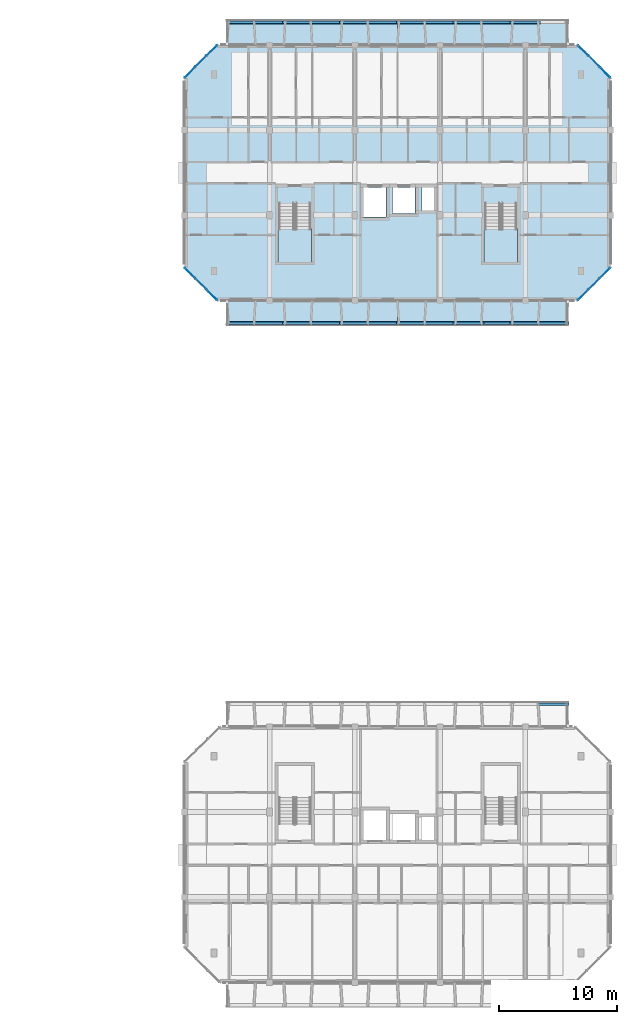
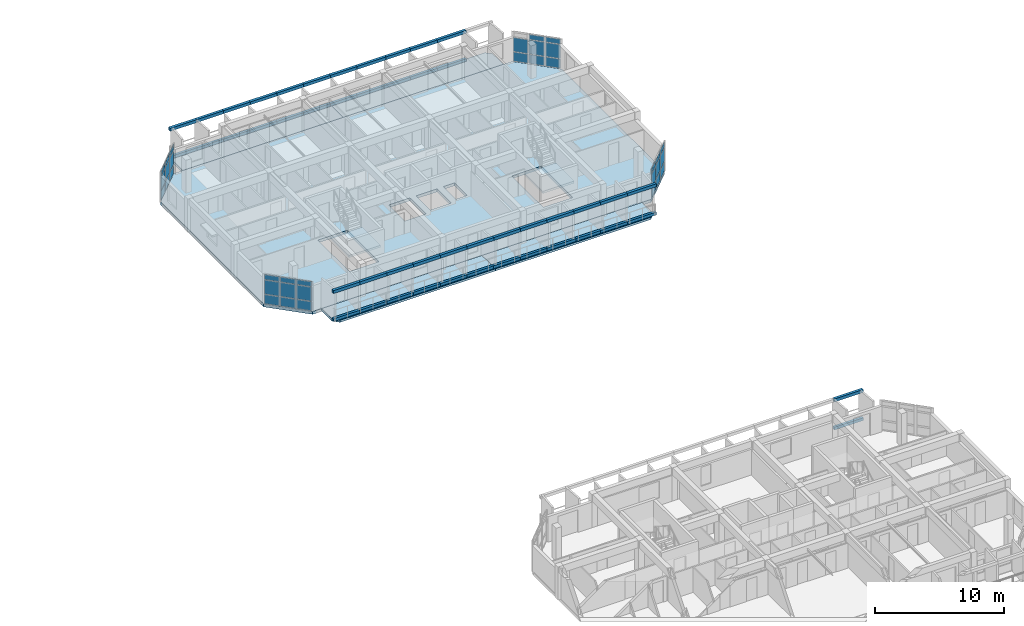
# One storey, part 15 of 46: 83 plates, 7 slabs, 6 elements without a shape of their own.
"""IFC4 building model written with IfcOpenShell, lengths in metres."""

from ifc_helpers import new_model, si_unit, direction, frame, origin, origin_2d, place, context, subcontext, project, spatial, polyline, rectangle, outline, extrude, material, layer, layer_set, type_object, element, aggregate, save


model = new_model("IFC4")

# Units and contexts
model_context = context("Model", 3, precision=1e-05, world=origin(), true_north=direction((0.0, 1.0)))
body_context = subcontext(model_context, "Body", "Model", "MODEL_VIEW")
ifc_project = project(units=[si_unit("LENGTHUNIT", "METRE"), si_unit("AREAUNIT", "SQUARE_METRE"), si_unit("VOLUMEUNIT", "CUBIC_METRE"), si_unit("PLANEANGLEUNIT", "RADIAN"), si_unit("MASSUNIT", "GRAM", prefix="KILO")], contexts=[model_context])

# Site, building, storey
site_placement = place(None, origin())
site = spatial("IfcSite", under=ifc_project, at=site_placement, CompositionType="ELEMENT")
building_placement = place(site_placement, origin())
building = spatial("IfcBuilding", under=site, at=building_placement, Name="Ochrevale Crest", CompositionType="ELEMENT")
storey_placement = place(building_placement, frame((0.0, 0.0, 24.449951171875)))
storey = spatial("IfcBuildingStorey", under=building, at=storey_placement, Name="L07", CompositionType="ELEMENT", Elevation=24.449951171875)

# Curtain wall, plates
ifc_material_1 = material(Name="Anodised aluminium 6063-T5", Category="aluminium")
ifc_layer_1 = layer(ifc_material_1, 0.14990234375)
ifc_layer_set_1 = layer_set([ifc_layer_1], Name="Anodised aluminium 6063-T5")
curtain_wall_type_1 = type_object("IfcCurtainWallType", Name="CW-WG-420x285", PredefinedType="NOTDEFINED", material=ifc_layer_set_1)
curtain_wall_1_placement = place(storey_placement, origin())
curtain_wall_1 = element("IfcCurtainWall", 1, at=curtain_wall_1_placement, inside=storey, type_object=curtain_wall_type_1, Name="Block D L07 chamfered corner wintergarden curtain wall 2", PredefinedType="NOTDEFINED")
ifc_material_2 = material(Name="Double-glazed low-E insulated glass unit", Category="glass")
ifc_layer_2 = layer(ifc_material_2, 0.028076171875)
ifc_layer_set_2 = layer_set([ifc_layer_2], Name="Double-glazed low-E insulated glass unit")
plate_type_1 = type_object("IfcPlateType", Name="CW-PNL-IGU28", PredefinedType="CURTAIN_PANEL", material=ifc_layer_set_2)
plate_1_placement = place(storey_placement, frame((163.280029296875, 72.47998046875, 0.06005859375), z_axis=(0.0, 0.0, 1.0), x_axis=(0.707106781187, 0.707106781187, 0.0)))
plate_1 = element("IfcPlate", 2, at=plate_1_placement, type_object=plate_type_1, Name="CW22 panel 1.1", PredefinedType="CURTAIN_PANEL", context=body_context, shape_type="SweptSolid", body=[
    extrude(rectangle(XDim=1.20751953125, YDim=0.028076171875, at=origin_2d()), origin(), (0.0, 0.0, 1.0), 0.860107421875),
])
plate_2_placement = place(storey_placement, frame((163.280029296875, 72.47998046875, 0.97998046875), z_axis=(0.0, 0.0, 1.0), x_axis=(0.707106781187, 0.707106781187, 0.0)))
plate_2 = element("IfcPlate", 3, at=plate_2_placement, type_object=plate_type_1, Name="CW22 panel 1.2", PredefinedType="CURTAIN_PANEL", context=body_context, shape_type="SweptSolid", body=[
    extrude(rectangle(XDim=1.20751953125, YDim=0.028076171875, at=origin_2d()), origin(), (0.0, 0.0, 1.0), 1.31494140625),
])
plate_3_placement = place(storey_placement, frame((163.280029296875, 72.47998046875, 2.35498046875), z_axis=(0.0, 0.0, 1.0), x_axis=(0.707106781187, 0.707106781187, 0.0)))
plate_3 = element("IfcPlate", 4, at=plate_3_placement, type_object=plate_type_1, Name="CW22 panel 1.3", PredefinedType="CURTAIN_PANEL", context=body_context, shape_type="SweptSolid", body=[
    extrude(rectangle(XDim=1.20751953125, YDim=0.028076171875, at=origin_2d()), origin(), (0.0, 0.0, 1.0), 0.4599609375),
])
plate_4_placement = place(storey_placement, frame((164.199951171875, 73.39990234375, 0.06005859375), z_axis=(0.0, 0.0, 1.0), x_axis=(0.707106781187, 0.707106781187, 0.0)))
plate_4 = element("IfcPlate", 5, at=plate_4_placement, type_object=plate_type_1, Name="CW22 panel 2.1", PredefinedType="CURTAIN_PANEL", context=body_context, shape_type="SweptSolid", body=[
    extrude(rectangle(XDim=1.244873046875, YDim=0.028076171875, at=origin_2d()), origin(), (0.0, 0.0, 1.0), 0.860107421875),
])
plate_5_placement = place(storey_placement, frame((164.199951171875, 73.39990234375, 0.97998046875), z_axis=(0.0, 0.0, 1.0), x_axis=(0.707106781187, 0.707106781187, 0.0)))
plate_5 = element("IfcPlate", 6, at=plate_5_placement, type_object=plate_type_1, Name="CW22 panel 2.2", PredefinedType="CURTAIN_PANEL", context=body_context, shape_type="SweptSolid", body=[
    extrude(rectangle(XDim=1.244873046875, YDim=0.028076171875, at=origin_2d()), origin(), (0.0, 0.0, 1.0), 1.31494140625),
])
plate_6_placement = place(storey_placement, frame((164.199951171875, 73.39990234375, 2.35498046875), z_axis=(0.0, 0.0, 1.0), x_axis=(0.707106781187, 0.707106781187, 0.0)))
plate_6 = element("IfcPlate", 7, at=plate_6_placement, type_object=plate_type_1, Name="CW22 panel 2.3", PredefinedType="CURTAIN_PANEL", context=body_context, shape_type="SweptSolid", body=[
    extrude(rectangle(XDim=1.244873046875, YDim=0.028076171875, at=origin_2d()), origin(), (0.0, 0.0, 1.0), 0.4599609375),
])
plate_7_placement = place(storey_placement, frame((165.1201171875, 74.320068359375, 0.06005859375), z_axis=(0.0, 0.0, 1.0), x_axis=(0.707106781187, 0.707106781187, 0.0)))
plate_7 = element("IfcPlate", 8, at=plate_7_placement, type_object=plate_type_1, Name="CW22 panel 3.1", PredefinedType="CURTAIN_PANEL", context=body_context, shape_type="SweptSolid", body=[
    extrude(rectangle(XDim=1.20751953125, YDim=0.028076171875, at=origin_2d()), origin(), (0.0, 0.0, 1.0), 0.860107421875),
])
plate_8_placement = place(storey_placement, frame((165.1201171875, 74.320068359375, 0.97998046875), z_axis=(0.0, 0.0, 1.0), x_axis=(0.707106781187, 0.707106781187, 0.0)))
plate_8 = element("IfcPlate", 9, at=plate_8_placement, type_object=plate_type_1, Name="CW22 panel 3.2", PredefinedType="CURTAIN_PANEL", context=body_context, shape_type="SweptSolid", body=[
    extrude(rectangle(XDim=1.20751953125, YDim=0.028076171875, at=origin_2d()), origin(), (0.0, 0.0, 1.0), 1.31494140625),
])
plate_9_placement = place(storey_placement, frame((165.1201171875, 74.320068359375, 2.35498046875), z_axis=(0.0, 0.0, 1.0), x_axis=(0.707106781187, 0.707106781187, 0.0)))
plate_9 = element("IfcPlate", 10, at=plate_9_placement, type_object=plate_type_1, Name="CW22 panel 3.3", PredefinedType="CURTAIN_PANEL", context=body_context, shape_type="SweptSolid", body=[
    extrude(rectangle(XDim=1.20751953125, YDim=0.028076171875, at=origin_2d()), origin(), (0.0, 0.0, 1.0), 0.4599609375),
])
aggregate(curtain_wall_1, [plate_1, plate_2, plate_3, plate_4, plate_5, plate_6, plate_7, plate_8, plate_9])

ifc_layer_3 = layer(ifc_material_1, 0.14990234375)
ifc_layer_set_3 = layer_set([ifc_layer_3], Name="Anodised aluminium 6063-T5")
curtain_wall_type_2 = type_object("IfcCurtainWallType", Name="CW-WG-240x285", PredefinedType="NOTDEFINED", material=ifc_layer_set_3)
curtain_wall_2_placement = place(storey_placement, origin())
curtain_wall_2 = element("IfcCurtainWall", 11, at=curtain_wall_2_placement, inside=storey, type_object=curtain_wall_type_2, Name="Block D L07 chamfered corner wintergarden curtain wall 8", PredefinedType="NOTDEFINED")
plate_10_placement = place(storey_placement, frame((130.079833984375, 74.320068359375, 0.06005859375), z_axis=(0.0, 0.0, 1.0), x_axis=(0.707106781187, -0.707106781187, 0.0)))
plate_10 = element("IfcPlate", 12, at=plate_10_placement, type_object=plate_type_1, Name="CW15 panel 1.1", PredefinedType="CURTAIN_PANEL", context=body_context, shape_type="SweptSolid", body=[
    extrude(rectangle(XDim=1.20751953125, YDim=0.028076171875, at=origin_2d()), origin(), (0.0, 0.0, 1.0), 0.860107421875),
])
plate_11_placement = place(storey_placement, frame((130.079833984375, 74.320068359375, 0.97998046875), z_axis=(0.0, 0.0, 1.0), x_axis=(0.707106781187, -0.707106781187, 0.0)))
plate_11 = element("IfcPlate", 13, at=plate_11_placement, type_object=plate_type_1, Name="CW15 panel 1.2", PredefinedType="CURTAIN_PANEL", context=body_context, shape_type="SweptSolid", body=[
    extrude(rectangle(XDim=1.20751953125, YDim=0.028076171875, at=origin_2d()), origin(), (0.0, 0.0, 1.0), 1.31494140625),
])
plate_12_placement = place(storey_placement, frame((130.079833984375, 74.320068359375, 2.35498046875), z_axis=(0.0, 0.0, 1.0), x_axis=(0.707106781187, -0.707106781187, 0.0)))
plate_12 = element("IfcPlate", 14, at=plate_12_placement, type_object=plate_type_1, Name="CW15 panel 1.3", PredefinedType="CURTAIN_PANEL", context=body_context, shape_type="SweptSolid", body=[
    extrude(rectangle(XDim=1.20751953125, YDim=0.028076171875, at=origin_2d()), origin(), (0.0, 0.0, 1.0), 0.4599609375),
])
plate_13_placement = place(storey_placement, frame((131.0, 73.39990234375, 0.06005859375), z_axis=(0.0, 0.0, 1.0), x_axis=(0.707106781187, -0.707106781187, 0.0)))
plate_13 = element("IfcPlate", 15, at=plate_13_placement, type_object=plate_type_1, Name="CW15 panel 2.1", PredefinedType="CURTAIN_PANEL", context=body_context, shape_type="SweptSolid", body=[
    extrude(rectangle(XDim=1.244873046875, YDim=0.028076171875, at=origin_2d()), origin(), (0.0, 0.0, 1.0), 0.860107421875),
])
plate_14_placement = place(storey_placement, frame((131.0, 73.39990234375, 0.97998046875), z_axis=(0.0, 0.0, 1.0), x_axis=(0.707106781187, -0.707106781187, 0.0)))
plate_14 = element("IfcPlate", 16, at=plate_14_placement, type_object=plate_type_1, Name="CW15 panel 2.2", PredefinedType="CURTAIN_PANEL", context=body_context, shape_type="SweptSolid", body=[
    extrude(rectangle(XDim=1.244873046875, YDim=0.028076171875, at=origin_2d()), origin(), (0.0, 0.0, 1.0), 1.31494140625),
])
plate_15_placement = place(storey_placement, frame((131.0, 73.39990234375, 2.35498046875), z_axis=(0.0, 0.0, 1.0), x_axis=(0.707106781187, -0.707106781187, 0.0)))
plate_15 = element("IfcPlate", 17, at=plate_15_placement, type_object=plate_type_1, Name="CW15 panel 2.3", PredefinedType="CURTAIN_PANEL", context=body_context, shape_type="SweptSolid", body=[
    extrude(rectangle(XDim=1.244873046875, YDim=0.028076171875, at=origin_2d()), origin(), (0.0, 0.0, 1.0), 0.4599609375),
])
plate_16_placement = place(storey_placement, frame((131.920166015625, 72.47998046875, 0.06005859375), z_axis=(0.0, 0.0, 1.0), x_axis=(0.707106781187, -0.707106781187, 0.0)))
plate_16 = element("IfcPlate", 18, at=plate_16_placement, type_object=plate_type_1, Name="CW15 panel 3.1", PredefinedType="CURTAIN_PANEL", context=body_context, shape_type="SweptSolid", body=[
    extrude(rectangle(XDim=1.20751953125, YDim=0.028076171875, at=origin_2d()), origin(), (0.0, 0.0, 1.0), 0.860107421875),
])
plate_17_placement = place(storey_placement, frame((131.920166015625, 72.47998046875, 0.97998046875), z_axis=(0.0, 0.0, 1.0), x_axis=(0.707106781187, -0.707106781187, 0.0)))
plate_17 = element("IfcPlate", 19, at=plate_17_placement, type_object=plate_type_1, Name="CW15 panel 3.2", PredefinedType="CURTAIN_PANEL", context=body_context, shape_type="SweptSolid", body=[
    extrude(rectangle(XDim=1.20751953125, YDim=0.028076171875, at=origin_2d()), origin(), (0.0, 0.0, 1.0), 1.31494140625),
])
plate_18_placement = place(storey_placement, frame((131.920166015625, 72.47998046875, 2.35498046875), z_axis=(0.0, 0.0, 1.0), x_axis=(0.707106781187, -0.707106781187, 0.0)))
plate_18 = element("IfcPlate", 20, at=plate_18_placement, type_object=plate_type_1, Name="CW15 panel 3.3", PredefinedType="CURTAIN_PANEL", context=body_context, shape_type="SweptSolid", body=[
    extrude(rectangle(XDim=1.20751953125, YDim=0.028076171875, at=origin_2d()), origin(), (0.0, 0.0, 1.0), 0.4599609375),
])
aggregate(curtain_wall_2, [plate_10, plate_11, plate_12, plate_13, plate_14, plate_15, plate_16, plate_17, plate_18])

ifc_layer_4 = layer(ifc_material_1, 0.14990234375)
ifc_layer_set_4 = layer_set([ifc_layer_4], Name="Anodised aluminium 6063-T5")
curtain_wall_type_3 = type_object("IfcCurtainWallType", Name="CW-WG-280x285", PredefinedType="NOTDEFINED", material=ifc_layer_set_4)
curtain_wall_3_placement = place(storey_placement, origin())
curtain_wall_3 = element("IfcCurtainWall", 21, at=curtain_wall_3_placement, inside=storey, type_object=curtain_wall_type_3, Name="Block D L07 chamfered corner wintergarden curtain wall 4", PredefinedType="NOTDEFINED")
ifc_material_3 = material(Name="Acoustic laminated low-E insulated glass unit", Category="glass")
ifc_layer_5 = layer(ifc_material_3, 0.0380859375)
ifc_layer_set_5 = layer_set([ifc_layer_5], Name="Acoustic laminated low-E insulated glass unit")
plate_type_2 = type_object("IfcPlateType", Name="CW-PNL-IGU38", PredefinedType="CURTAIN_PANEL", material=ifc_layer_set_5)
plate_19_placement = place(storey_placement, frame((165.1201171875, 91.280029296875, 0.06005859375), z_axis=(0.0, 0.0, 1.0), x_axis=(-0.707106781187, 0.707106781187, 0.0)))
plate_19 = element("IfcPlate", 22, at=plate_19_placement, type_object=plate_type_2, Name="CW16 panel 1.1", PredefinedType="CURTAIN_PANEL", context=body_context, shape_type="SweptSolid", body=[
    extrude(rectangle(XDim=1.20751953125, YDim=0.0380859375, at=origin_2d()), origin(), (0.0, 0.0, 1.0), 0.860107421875),
])
plate_20_placement = place(storey_placement, frame((165.1201171875, 91.280029296875, 0.97998046875), z_axis=(0.0, 0.0, 1.0), x_axis=(-0.707106781187, 0.707106781187, 0.0)))
plate_20 = element("IfcPlate", 23, at=plate_20_placement, type_object=plate_type_2, Name="CW16 panel 1.2", PredefinedType="CURTAIN_PANEL", context=body_context, shape_type="SweptSolid", body=[
    extrude(rectangle(XDim=1.20751953125, YDim=0.0380859375, at=origin_2d()), origin(), (0.0, 0.0, 1.0), 1.31494140625),
])
plate_21_placement = place(storey_placement, frame((165.1201171875, 91.280029296875, 2.35498046875), z_axis=(0.0, 0.0, 1.0), x_axis=(-0.707106781187, 0.707106781187, 0.0)))
plate_21 = element("IfcPlate", 24, at=plate_21_placement, type_object=plate_type_2, Name="CW16 panel 1.3", PredefinedType="CURTAIN_PANEL", context=body_context, shape_type="SweptSolid", body=[
    extrude(rectangle(XDim=1.20751953125, YDim=0.0380859375, at=origin_2d()), origin(), (0.0, 0.0, 1.0), 0.4599609375),
])
plate_22_placement = place(storey_placement, frame((164.199951171875, 92.199951171875, 0.06005859375), z_axis=(0.0, 0.0, 1.0), x_axis=(-0.707106781187, 0.707106781187, 0.0)))
plate_22 = element("IfcPlate", 25, at=plate_22_placement, type_object=plate_type_2, Name="CW16 panel 2.1", PredefinedType="CURTAIN_PANEL", context=body_context, shape_type="SweptSolid", body=[
    extrude(rectangle(XDim=1.244873046875, YDim=0.0380859375, at=origin_2d()), origin(), (0.0, 0.0, 1.0), 0.860107421875),
])
plate_23_placement = place(storey_placement, frame((164.199951171875, 92.199951171875, 0.97998046875), z_axis=(0.0, 0.0, 1.0), x_axis=(-0.707106781187, 0.707106781187, 0.0)))
plate_23 = element("IfcPlate", 26, at=plate_23_placement, type_object=plate_type_2, Name="CW16 panel 2.2", PredefinedType="CURTAIN_PANEL", context=body_context, shape_type="SweptSolid", body=[
    extrude(rectangle(XDim=1.244873046875, YDim=0.0380859375, at=origin_2d()), origin(), (0.0, 0.0, 1.0), 1.31494140625),
])
plate_24_placement = place(storey_placement, frame((164.199951171875, 92.199951171875, 2.35498046875), z_axis=(0.0, 0.0, 1.0), x_axis=(-0.707106781187, 0.707106781187, 0.0)))
plate_24 = element("IfcPlate", 27, at=plate_24_placement, type_object=plate_type_2, Name="CW16 panel 2.3", PredefinedType="CURTAIN_PANEL", context=body_context, shape_type="SweptSolid", body=[
    extrude(rectangle(XDim=1.244873046875, YDim=0.0380859375, at=origin_2d()), origin(), (0.0, 0.0, 1.0), 0.4599609375),
])
plate_25_placement = place(storey_placement, frame((163.280029296875, 93.1201171875, 0.06005859375), z_axis=(0.0, 0.0, 1.0), x_axis=(-0.707106781187, 0.707106781187, 0.0)))
plate_25 = element("IfcPlate", 28, at=plate_25_placement, type_object=plate_type_2, Name="CW16 panel 3.1", PredefinedType="CURTAIN_PANEL", context=body_context, shape_type="SweptSolid", body=[
    extrude(rectangle(XDim=1.20751953125, YDim=0.0380859375, at=origin_2d()), origin(), (0.0, 0.0, 1.0), 0.860107421875),
])
plate_26_placement = place(storey_placement, frame((163.280029296875, 93.1201171875, 0.97998046875), z_axis=(0.0, 0.0, 1.0), x_axis=(-0.707106781187, 0.707106781187, 0.0)))
plate_26 = element("IfcPlate", 29, at=plate_26_placement, type_object=plate_type_2, Name="CW16 panel 3.2", PredefinedType="CURTAIN_PANEL", context=body_context, shape_type="SweptSolid", body=[
    extrude(rectangle(XDim=1.20751953125, YDim=0.0380859375, at=origin_2d()), origin(), (0.0, 0.0, 1.0), 1.31494140625),
])
aggregate(curtain_wall_3, [plate_19, plate_20, plate_21, plate_22, plate_23, plate_24, plate_25, plate_26])

ifc_layer_6 = layer(ifc_material_1, 0.14990234375)
ifc_layer_set_6 = layer_set([ifc_layer_6], Name="Anodised aluminium 6063-T5")
curtain_wall_type_4 = type_object("IfcCurtainWallType", Name="CW-WG-360x285", PredefinedType="NOTDEFINED", material=ifc_layer_set_6)
curtain_wall_4_placement = place(storey_placement, origin())
curtain_wall_4 = element("IfcCurtainWall", 30, at=curtain_wall_4_placement, inside=storey, type_object=curtain_wall_type_4, Name="Block D L07 chamfered corner wintergarden curtain wall 6", PredefinedType="NOTDEFINED")
plate_27_placement = place(storey_placement, frame((131.920166015625, 93.1201171875, 0.06005859375), z_axis=(0.0, 0.0, 1.0), x_axis=(-0.707106781187, -0.707106781187, 0.0)))
plate_27 = element("IfcPlate", 31, at=plate_27_placement, type_object=plate_type_2, Name="CW18 panel 1.1", PredefinedType="CURTAIN_PANEL", context=body_context, shape_type="SweptSolid", body=[
    extrude(rectangle(XDim=1.20751953125, YDim=0.0380859375, at=origin_2d()), origin(), (0.0, 0.0, 1.0), 0.860107421875),
])
plate_28_placement = place(storey_placement, frame((131.920166015625, 93.1201171875, 0.97998046875), z_axis=(0.0, 0.0, 1.0), x_axis=(-0.707106781187, -0.707106781187, 0.0)))
plate_28 = element("IfcPlate", 32, at=plate_28_placement, type_object=plate_type_2, Name="CW18 panel 1.2", PredefinedType="CURTAIN_PANEL", context=body_context, shape_type="SweptSolid", body=[
    extrude(rectangle(XDim=1.20751953125, YDim=0.0380859375, at=origin_2d()), origin(), (0.0, 0.0, 1.0), 1.31494140625),
])
plate_29_placement = place(storey_placement, frame((131.920166015625, 93.1201171875, 2.35498046875), z_axis=(0.0, 0.0, 1.0), x_axis=(-0.707106781187, -0.707106781187, 0.0)))
plate_29 = element("IfcPlate", 33, at=plate_29_placement, type_object=plate_type_2, Name="CW18 panel 1.3", PredefinedType="CURTAIN_PANEL", context=body_context, shape_type="SweptSolid", body=[
    extrude(rectangle(XDim=1.20751953125, YDim=0.0380859375, at=origin_2d()), origin(), (0.0, 0.0, 1.0), 0.4599609375),
])
plate_30_placement = place(storey_placement, frame((131.0, 92.199951171875, 0.06005859375), z_axis=(0.0, 0.0, 1.0), x_axis=(-0.707106781187, -0.707106781187, 0.0)))
plate_30 = element("IfcPlate", 34, at=plate_30_placement, type_object=plate_type_2, Name="CW18 panel 2.1", PredefinedType="CURTAIN_PANEL", context=body_context, shape_type="SweptSolid", body=[
    extrude(rectangle(XDim=1.244873046875, YDim=0.0380859375, at=origin_2d()), origin(), (0.0, 0.0, 1.0), 0.860107421875),
])
plate_31_placement = place(storey_placement, frame((131.0, 92.199951171875, 0.97998046875), z_axis=(0.0, 0.0, 1.0), x_axis=(-0.707106781187, -0.707106781187, 0.0)))
plate_31 = element("IfcPlate", 35, at=plate_31_placement, type_object=plate_type_2, Name="CW18 panel 2.2", PredefinedType="CURTAIN_PANEL", context=body_context, shape_type="SweptSolid", body=[
    extrude(rectangle(XDim=1.244873046875, YDim=0.0380859375, at=origin_2d()), origin(), (0.0, 0.0, 1.0), 1.31494140625),
])
plate_32_placement = place(storey_placement, frame((131.0, 92.199951171875, 2.35498046875), z_axis=(0.0, 0.0, 1.0), x_axis=(-0.707106781187, -0.707106781187, 0.0)))
plate_32 = element("IfcPlate", 36, at=plate_32_placement, type_object=plate_type_2, Name="CW18 panel 2.3", PredefinedType="CURTAIN_PANEL", context=body_context, shape_type="SweptSolid", body=[
    extrude(rectangle(XDim=1.244873046875, YDim=0.0380859375, at=origin_2d()), origin(), (0.0, 0.0, 1.0), 0.4599609375),
])
plate_33_placement = place(storey_placement, frame((130.079833984375, 91.280029296875, 0.06005859375), z_axis=(0.0, 0.0, 1.0), x_axis=(-0.707106781187, -0.707106781187, 0.0)))
plate_33 = element("IfcPlate", 37, at=plate_33_placement, type_object=plate_type_2, Name="CW18 panel 3.1", PredefinedType="CURTAIN_PANEL", context=body_context, shape_type="SweptSolid", body=[
    extrude(rectangle(XDim=1.20751953125, YDim=0.0380859375, at=origin_2d()), origin(), (0.0, 0.0, 1.0), 0.860107421875),
])
plate_34_placement = place(storey_placement, frame((130.079833984375, 91.280029296875, 0.97998046875), z_axis=(0.0, 0.0, 1.0), x_axis=(-0.707106781187, -0.707106781187, 0.0)))
plate_34 = element("IfcPlate", 38, at=plate_34_placement, type_object=plate_type_2, Name="CW18 panel 3.2", PredefinedType="CURTAIN_PANEL", context=body_context, shape_type="SweptSolid", body=[
    extrude(rectangle(XDim=1.20751953125, YDim=0.0380859375, at=origin_2d()), origin(), (0.0, 0.0, 1.0), 1.31494140625),
])
plate_35_placement = place(storey_placement, frame((130.079833984375, 91.280029296875, 2.35498046875), z_axis=(0.0, 0.0, 1.0), x_axis=(-0.707106781187, -0.707106781187, 0.0)))
plate_35 = element("IfcPlate", 39, at=plate_35_placement, type_object=plate_type_2, Name="CW18 panel 3.3", PredefinedType="CURTAIN_PANEL", context=body_context, shape_type="SweptSolid", body=[
    extrude(rectangle(XDim=1.20751953125, YDim=0.0380859375, at=origin_2d()), origin(), (0.0, 0.0, 1.0), 0.4599609375),
])
aggregate(curtain_wall_4, [plate_27, plate_28, plate_29, plate_30, plate_31, plate_32, plate_33, plate_34, plate_35])

# Plates
ifc_material_4 = material(Name="Precast concrete C40/50", Category="concrete")
ifc_layer_7 = layer(ifc_material_4, 0.06005859375)
ifc_layer_set_7 = layer_set([ifc_layer_7], Name="Precast concrete C40/50")
plate_type_3 = type_object("IfcPlateType", Name="PLT-HC-HEAD-60", PredefinedType="USERDEFINED", material=ifc_layer_set_7)
for number, where, z_axis, x_axis, name in (
    (40, (160.800048828125, 37.89990234375, 2.669921875), (0.0, 0.0, 1.0), (1.0, 0.0, 0.0), "Block C L07 N honeycomb arched lintel fascia 12"),
    (41, (134.39990234375, 70.10009765625, 2.669921875), (0.0, 0.0, 1.0), (1.0, 0.0, 0.0), "Block D L07 S honeycomb arched lintel fascia 1"),
    (42, (136.800048828125, 70.10009765625, 2.669921875), (0.0, 0.0, 1.0), (1.0, 0.0, 0.0), "Block D L07 S honeycomb arched lintel fascia 2"),
    (43, (139.199951171875, 70.10009765625, 2.669921875), (0.0, 0.0, 1.0), (1.0, 0.0, 0.0), "Block D L07 S honeycomb arched lintel fascia 3"),
    (44, (141.60009765625, 70.10009765625, 2.669921875), (0.0, 0.0, 1.0), (1.0, 0.0, 0.0), "Block D L07 S honeycomb arched lintel fascia 4"),
    (45, (144.0, 70.10009765625, 2.669921875), (0.0, 0.0, 1.0), (1.0, 0.0, 0.0), "Block D L07 S honeycomb arched lintel fascia 5"),
    (46, (146.39990234375, 70.10009765625, 2.669921875), (0.0, 0.0, 1.0), (1.0, 0.0, 0.0), "Block D L07 S honeycomb arched lintel fascia 6"),
    (47, (148.800048828125, 70.10009765625, 2.669921875), (0.0, 0.0, 1.0), (1.0, 0.0, 0.0), "Block D L07 S honeycomb arched lintel fascia 7"),
    (48, (151.199951171875, 70.10009765625, 2.669921875), (0.0, 0.0, 1.0), (1.0, 0.0, 0.0), "Block D L07 S honeycomb arched lintel fascia 8"),
    (49, (153.60009765625, 70.10009765625, 2.669921875), (0.0, 0.0, 1.0), (1.0, 0.0, 0.0), "Block D L07 S honeycomb arched lintel fascia 9"),
    (50, (156.0, 70.10009765625, 2.669921875), (0.0, 0.0, 1.0), (1.0, 0.0, 0.0), "Block D L07 S honeycomb arched lintel fascia 10"),
    (51, (158.39990234375, 70.10009765625, 2.669921875), (0.0, 0.0, 1.0), (1.0, 0.0, 0.0), "Block D L07 S honeycomb arched lintel fascia 11"),
    (52, (160.800048828125, 70.10009765625, 2.669921875), (0.0, 0.0, 1.0), (1.0, 0.0, 0.0), "Block D L07 S honeycomb arched lintel fascia 12"),
    (53, (134.39990234375, 95.5, 2.669921875), (0.0, 0.0, 1.0), (1.0, 0.0, 0.0), "Block D L07 N honeycomb arched lintel fascia 1"),
    (54, (136.800048828125, 95.5, 2.669921875), (0.0, 0.0, 1.0), (1.0, 0.0, 0.0), "Block D L07 N honeycomb arched lintel fascia 2"),
    (55, (139.199951171875, 95.5, 2.669921875), (0.0, 0.0, 1.0), (1.0, 0.0, 0.0), "Block D L07 N honeycomb arched lintel fascia 3"),
    (56, (141.60009765625, 95.5, 2.669921875), (0.0, 0.0, 1.0), (1.0, 0.0, 0.0), "Block D L07 N honeycomb arched lintel fascia 4"),
    (57, (144.0, 95.5, 2.669921875), (0.0, 0.0, 1.0), (1.0, 0.0, 0.0), "Block D L07 N honeycomb arched lintel fascia 5"),
    (58, (146.39990234375, 95.5, 2.669921875), (0.0, 0.0, 1.0), (1.0, 0.0, 0.0), "Block D L07 N honeycomb arched lintel fascia 6"),
    (59, (148.800048828125, 95.5, 2.669921875), (0.0, 0.0, 1.0), (1.0, 0.0, 0.0), "Block D L07 N honeycomb arched lintel fascia 7"),
    (60, (151.199951171875, 95.5, 2.669921875), (0.0, 0.0, 1.0), (1.0, 0.0, 0.0), "Block D L07 N honeycomb arched lintel fascia 8"),
    (61, (153.60009765625, 95.5, 2.669921875), (0.0, 0.0, 1.0), (1.0, 0.0, 0.0), "Block D L07 N honeycomb arched lintel fascia 9"),
    (62, (156.0, 95.5, 2.669921875), (0.0, 0.0, 1.0), (1.0, 0.0, 0.0), "Block D L07 N honeycomb arched lintel fascia 10"),
    (63, (158.39990234375, 95.5, 2.669921875), (0.0, 0.0, 1.0), (1.0, 0.0, 0.0), "Block D L07 N honeycomb arched lintel fascia 11"),
):
    element("IfcPlate", number, at=place(storey_placement, frame(where, z_axis=z_axis, x_axis=x_axis)), inside=storey, type_object=plate_type_3, Name=name, ObjectType="FACADE FASCIA PLATE", PredefinedType="USERDEFINED", context=body_context, shape_type="SweptSolid", body=[
        extrude(rectangle(XDim=2.60009765625, YDim=0.239990234375, at=origin_2d()), origin(), (0.0, 0.0, 1.0), 0.280029296875),
    ])
ifc_layer_8 = layer(ifc_material_4, 0.044921875)
ifc_layer_set_8 = layer_set([ifc_layer_8], Name="Precast concrete C40/50")
plate_type_4 = type_object("IfcPlateType", Name="PLT-HC-SILL-45", PredefinedType="USERDEFINED", material=ifc_layer_set_8)
for number, where, z_axis, x_axis, name in (
    (64, (160.800048828125, 37.89990234375, 0.0), (0.0, 0.0, 1.0), (1.0, 0.0, 0.0), "Block C L07 N honeycomb sill coping plate 12"),
    (65, (134.39990234375, 70.10009765625, 0.0), (0.0, 0.0, 1.0), (1.0, 0.0, 0.0), "Block D L07 S honeycomb sill coping plate 1"),
    (66, (136.800048828125, 70.10009765625, 0.0), (0.0, 0.0, 1.0), (1.0, 0.0, 0.0), "Block D L07 S honeycomb sill coping plate 2"),
    (67, (139.199951171875, 70.10009765625, 0.0), (0.0, 0.0, 1.0), (1.0, 0.0, 0.0), "Block D L07 S honeycomb sill coping plate 3"),
    (68, (141.60009765625, 70.10009765625, 0.0), (0.0, 0.0, 1.0), (1.0, 0.0, 0.0), "Block D L07 S honeycomb sill coping plate 4"),
    (69, (144.0, 70.10009765625, 0.0), (0.0, 0.0, 1.0), (1.0, 0.0, 0.0), "Block D L07 S honeycomb sill coping plate 5"),
    (70, (146.39990234375, 70.10009765625, 0.0), (0.0, 0.0, 1.0), (1.0, 0.0, 0.0), "Block D L07 S honeycomb sill coping plate 6"),
    (71, (148.800048828125, 70.10009765625, 0.0), (0.0, 0.0, 1.0), (1.0, 0.0, 0.0), "Block D L07 S honeycomb sill coping plate 7"),
    (72, (151.199951171875, 70.10009765625, 0.0), (0.0, 0.0, 1.0), (1.0, 0.0, 0.0), "Block D L07 S honeycomb sill coping plate 8"),
    (73, (153.60009765625, 70.10009765625, 0.0), (0.0, 0.0, 1.0), (1.0, 0.0, 0.0), "Block D L07 S honeycomb sill coping plate 9"),
    (74, (156.0, 70.10009765625, 0.0), (0.0, 0.0, 1.0), (1.0, 0.0, 0.0), "Block D L07 S honeycomb sill coping plate 10"),
    (75, (158.39990234375, 70.10009765625, 0.0), (0.0, 0.0, 1.0), (1.0, 0.0, 0.0), "Block D L07 S honeycomb sill coping plate 11"),
    (76, (160.800048828125, 70.10009765625, 0.0), (0.0, 0.0, 1.0), (1.0, 0.0, 0.0), "Block D L07 S honeycomb sill coping plate 12"),
    (77, (134.39990234375, 95.5, 0.0), (0.0, 0.0, 1.0), (1.0, 0.0, 0.0), "Block D L07 N honeycomb sill coping plate 1"),
    (78, (136.800048828125, 95.5, 0.0), (0.0, 0.0, 1.0), (1.0, 0.0, 0.0), "Block D L07 N honeycomb sill coping plate 2"),
    (79, (139.199951171875, 95.5, 0.0), (0.0, 0.0, 1.0), (1.0, 0.0, 0.0), "Block D L07 N honeycomb sill coping plate 3"),
    (80, (141.60009765625, 95.5, 0.0), (0.0, 0.0, 1.0), (1.0, 0.0, 0.0), "Block D L07 N honeycomb sill coping plate 4"),
    (81, (144.0, 95.5, 0.0), (0.0, 0.0, 1.0), (1.0, 0.0, 0.0), "Block D L07 N honeycomb sill coping plate 5"),
    (82, (146.39990234375, 95.5, 0.0), (0.0, 0.0, 1.0), (1.0, 0.0, 0.0), "Block D L07 N honeycomb sill coping plate 6"),
    (83, (148.800048828125, 95.5, 0.0), (0.0, 0.0, 1.0), (1.0, 0.0, 0.0), "Block D L07 N honeycomb sill coping plate 7"),
    (84, (151.199951171875, 95.5, 0.0), (0.0, 0.0, 1.0), (1.0, 0.0, 0.0), "Block D L07 N honeycomb sill coping plate 8"),
    (85, (153.60009765625, 95.5, 0.0), (0.0, 0.0, 1.0), (1.0, 0.0, 0.0), "Block D L07 N honeycomb sill coping plate 9"),
    (86, (156.0, 95.5, 0.0), (0.0, 0.0, 1.0), (1.0, 0.0, 0.0), "Block D L07 N honeycomb sill coping plate 10"),
    (87, (158.39990234375, 95.5, 0.0), (0.0, 0.0, 1.0), (1.0, 0.0, 0.0), "Block D L07 N honeycomb sill coping plate 11"),
):
    element("IfcPlate", number, at=place(storey_placement, frame(where, z_axis=z_axis, x_axis=x_axis)), inside=storey, type_object=plate_type_4, Name=name, ObjectType="SILL COPING PLATE", PredefinedType="USERDEFINED", context=body_context, shape_type="SweptSolid", body=[
        extrude(rectangle(XDim=2.60009765625, YDim=0.219970703125, at=origin_2d()), origin(), (0.0, 0.0, 1.0), 0.260009765625),
    ])

# Slabs
ifc_layer_9 = layer(ifc_material_4, 0.199951171875)
ifc_layer_set_9 = layer_set([ifc_layer_9], Name="Precast concrete C40/50")
slab_type_1 = type_object("IfcSlabType", Name="SLB-BAL-200", PredefinedType="FLOOR", material=ifc_layer_set_9)
slab_1_placement = place(storey_placement, frame((0.0, 0.0, -0.199951171875)))
element("IfcSlab", 88, at=slab_1_placement, inside=storey, type_object=slab_type_1, Name="Block D L07 S1 precast loggia balcony slab", PredefinedType="FLOOR", context=body_context, shape_type="SweptSolid", body=[
    extrude(outline(polyline([(133.64990234375, 69.89990234375), (147.60009765625, 69.89990234375), (147.60009765625, 72.0), (133.199951171875, 72.0), (133.199951171875, 70.35009765625), (133.64990234375, 69.89990234375)])), origin(), (0.0, 0.0, 1.0), 0.199951171875),
])
slab_2_placement = place(storey_placement, frame((0.0, 0.0, -0.199951171875)))
element("IfcSlab", 89, at=slab_2_placement, inside=storey, type_object=slab_type_1, Name="Block D L07 S2 precast loggia balcony slab", PredefinedType="FLOOR", context=body_context, shape_type="SweptSolid", body=[
    extrude(outline(polyline([(147.60009765625, 69.89990234375), (161.550048828125, 69.89990234375), (162.0, 70.35009765625), (162.0, 72.0), (147.60009765625, 72.0), (147.60009765625, 69.89990234375)])), origin(), (0.0, 0.0, 1.0), 0.199951171875),
])
slab_3_placement = place(storey_placement, frame((0.0, 0.0, -0.199951171875)))
element("IfcSlab", 90, at=slab_3_placement, inside=storey, type_object=slab_type_1, Name="Block D L07 N1 precast loggia balcony slab", PredefinedType="FLOOR", context=body_context, shape_type="SweptSolid", body=[
    extrude(outline(polyline([(133.199951171875, 93.60009765625), (147.60009765625, 93.60009765625), (147.60009765625, 95.699951171875), (133.64990234375, 95.699951171875), (133.199951171875, 95.25), (133.199951171875, 93.60009765625)])), origin(), (0.0, 0.0, 1.0), 0.199951171875),
])
slab_4_placement = place(storey_placement, frame((0.0, 0.0, -0.199951171875)))
element("IfcSlab", 91, at=slab_4_placement, inside=storey, type_object=slab_type_1, Name="Block D L07 N2 precast loggia balcony slab", PredefinedType="FLOOR", context=body_context, shape_type="SweptSolid", body=[
    extrude(outline(polyline([(147.60009765625, 93.60009765625), (162.0, 93.60009765625), (162.0, 95.25), (161.550048828125, 95.699951171875), (147.60009765625, 95.699951171875), (147.60009765625, 93.60009765625)])), origin(), (0.0, 0.0, 1.0), 0.199951171875),
])
ifc_layer_10 = layer(ifc_material_4, 0.27490234375)
ifc_layer_set_10 = layer_set([ifc_layer_10], Name="Precast concrete C40/50")
slab_type_2 = type_object("IfcSlabType", Name="SLB-RES-275", PredefinedType="FLOOR", material=ifc_layer_set_10)
slab_5_placement = place(storey_placement, frame((0.0, 0.0, -0.27490234375)))
element("IfcSlab", 92, at=slab_5_placement, inside=storey, type_object=slab_type_2, Name="Block D L07 composite hollowcore floor slab", PredefinedType="FLOOR", context=body_context, shape_type="SweptSolid", body=[
    extrude(outline(polyline([(132.39990234375, 72.0), (162.800048828125, 72.0), (165.60009765625, 74.800048828125), (165.60009765625, 90.800048828125), (162.800048828125, 93.60009765625), (132.39990234375, 93.60009765625), (129.60009765625, 90.800048828125), (129.60009765625, 74.800048828125), (132.39990234375, 72.0)]), holes=[polyline([(137.60009765625, 80.175048828125), (137.60009765625, 75.27490234375), (140.25, 75.27490234375), (140.25, 80.175048828125), (137.60009765625, 80.175048828125)]), polyline([(155.0, 80.175048828125), (155.0, 75.27490234375), (157.64990234375, 75.27490234375), (157.64990234375, 80.175048828125), (155.0, 80.175048828125)]), polyline([(144.75, 79.050048828125), (146.64990234375, 79.050048828125), (146.64990234375, 81.550048828125), (144.75, 81.550048828125), (144.75, 79.050048828125)]), polyline([(147.199951171875, 79.35009765625), (149.10009765625, 79.35009765625), (149.10009765625, 81.550048828125), (147.199951171875, 81.550048828125), (147.199951171875, 79.35009765625)]), polyline([(149.669921875, 79.6201171875), (150.679931640625, 79.6201171875), (150.679931640625, 81.580078125), (149.669921875, 81.580078125), (149.669921875, 79.6201171875)])]), origin(), (0.0, 0.0, 1.0), 0.27490234375),
])

# Stair, slab
stair_type = type_object("IfcStairType", Name="ST-CORE-DOG", PredefinedType="HALF_TURN_STAIR", material=ifc_material_4)
stair_1_placement = place(storey_placement, origin())
stair_1 = element("IfcStair", 93, at=stair_1_placement, inside=storey, type_object=stair_type, Name="L07 Block D Fire Stair 1", PredefinedType="HALF_TURN_STAIR")
ifc_layer_11 = layer(ifc_material_4, 0.199951171875)
ifc_layer_set_11 = layer_set([ifc_layer_11], Name="Precast concrete C40/50")
slab_type_3 = type_object("IfcSlabType", Name="SLB-ST-LAND", PredefinedType="LANDING", material=ifc_layer_set_11)
slab_6_placement = place(storey_placement, frame((0.0, 0.0, 1.375)))
slab_6 = element("IfcSlab", 94, at=slab_6_placement, type_object=slab_type_3, Name="ST-D1 landing 1", PredefinedType="LANDING", context=body_context, shape_type="SweptSolid", body=[
    extrude(outline(polyline([(137.52001953125, 78.06494140625), (137.52001953125, 75.195068359375), (140.330078125, 75.195068359375), (140.330078125, 78.06494140625), (137.52001953125, 78.06494140625)])), origin(), (0.0, 0.0, 1.0), 0.199951171875),
])
aggregate(stair_1, [slab_6])

stair_2_placement = place(storey_placement, origin())
stair_2 = element("IfcStair", 95, at=stair_2_placement, inside=storey, type_object=stair_type, Name="L07 Block D Fire Stair 2", PredefinedType="HALF_TURN_STAIR")
slab_7_placement = place(storey_placement, frame((0.0, 0.0, 1.375)))
slab_7 = element("IfcSlab", 96, at=slab_7_placement, type_object=slab_type_3, Name="ST-D2 landing 1", PredefinedType="LANDING", context=body_context, shape_type="SweptSolid", body=[
    extrude(outline(polyline([(154.919921875, 78.06494140625), (154.919921875, 75.195068359375), (157.72998046875, 75.195068359375), (157.72998046875, 78.06494140625), (154.919921875, 78.06494140625)])), origin(), (0.0, 0.0, 1.0), 0.199951171875),
])
aggregate(stair_2, [slab_7])

save(model, "model.ifc")
